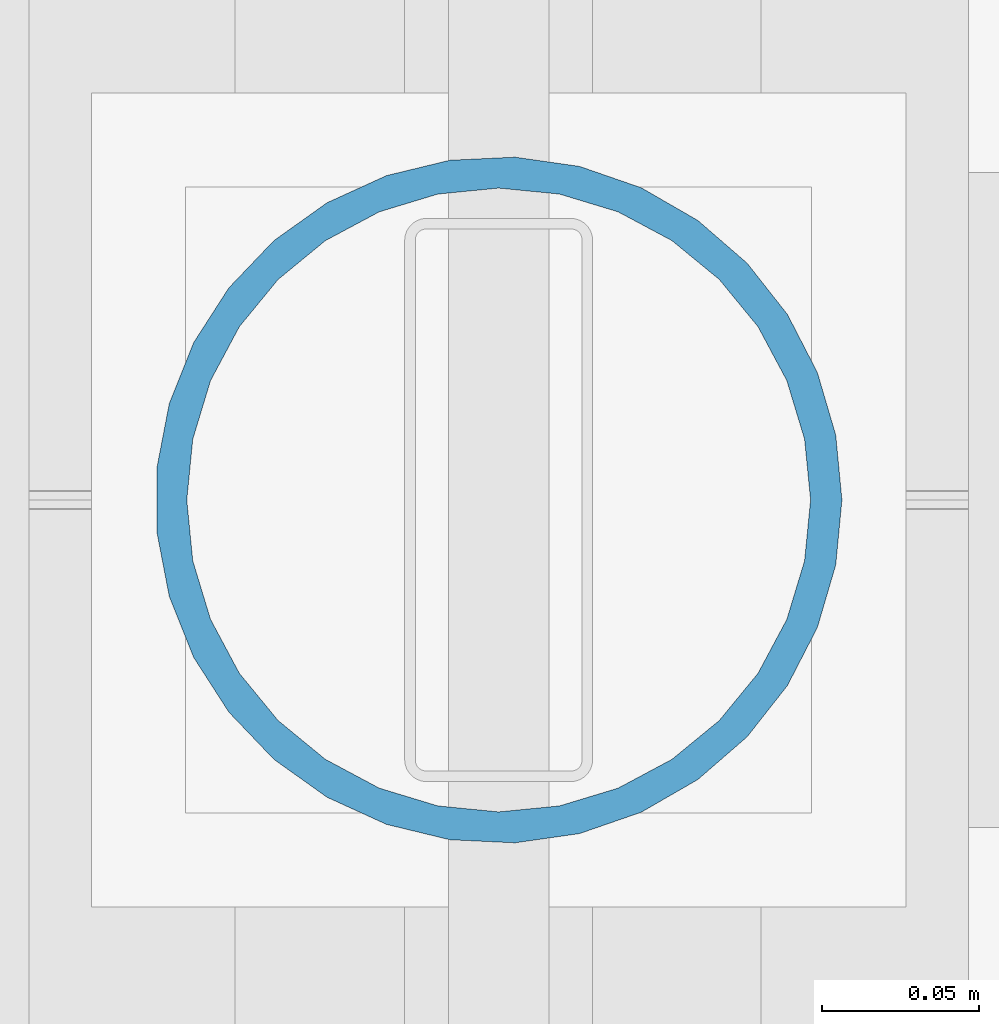
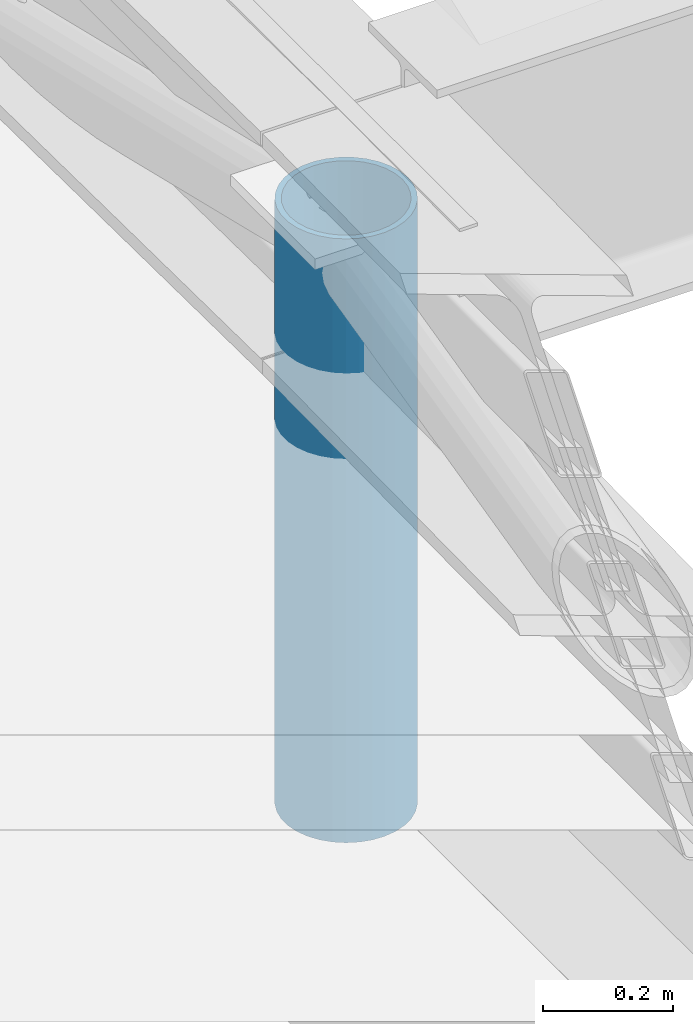
# One storey, part 53 of 239: 1 member.
"""IFC4 building model written with IfcOpenShell, lengths in metres."""

from ifc_helpers import new_model, si_unit, direction, frame, origin, origin_2d, place, context, subcontext, project, spatial, hollow_circle, extrude, material, material_profile, profile_set, type_object, element, save


model = new_model("IFC4")

# Units and contexts
model_context = context("Model", 3, precision=1e-05, world=origin(), true_north=direction((0.0, 1.0)))
body_context = subcontext(model_context, "Body", "Model", "MODEL_VIEW")
ifc_project = project(units=[si_unit("LENGTHUNIT", "METRE"), si_unit("AREAUNIT", "SQUARE_METRE"), si_unit("VOLUMEUNIT", "CUBIC_METRE"), si_unit("PLANEANGLEUNIT", "RADIAN"), si_unit("MASSUNIT", "GRAM", prefix="KILO")], contexts=[model_context])

# Site, building, storey
site_placement = place(None, origin())
site = spatial("IfcSite", under=ifc_project, at=site_placement, CompositionType="ELEMENT")
building_placement = place(site_placement, origin())
building = spatial("IfcBuilding", under=site, at=building_placement, Name="Dunvalen Ferry Terminal", CompositionType="ELEMENT")
storey_placement = place(building_placement, frame((0.0, 0.0, 9.840087890625)))
storey = spatial("IfcBuildingStorey", under=building, at=storey_placement, Name="L02", CompositionType="ELEMENT", Elevation=9.840087890625)

# Member
ifc_material = material(Name="Steel S355", Category="steel")
ifc_material_profile = material_profile(ifc_material, hollow_circle(Radius=0.109619140625, WallThickness=0.010009765625, at=origin_2d()), Name="Steel S355")
ifc_profile_set = profile_set([ifc_material_profile], Name="Steel S355")
member_type = type_object("IfcMemberType", Name="STR-MB-CHS219", PredefinedType="STRUT", material=ifc_profile_set)
member_placement = place(storey_placement, frame((12.0, 68.39990234375, -0.360107421875), z_axis=(0.0, 0.0, 1.0), x_axis=(1.0, 0.0, 0.0)))
element("IfcMember", 1, at=member_placement, inside=storey, type_object=member_type, Name="Departure Hall Arch Spandrel Strut 01.4", PredefinedType="STRUT", context=body_context, shape_type="SweptSolid", body=[
    extrude(hollow_circle(Radius=0.109619140625, WallThickness=0.010009765625, at=origin_2d()), origin(), (0.0, 0.0, 1.0), 1.130126953125),
])

save(model, "model.ifc")
